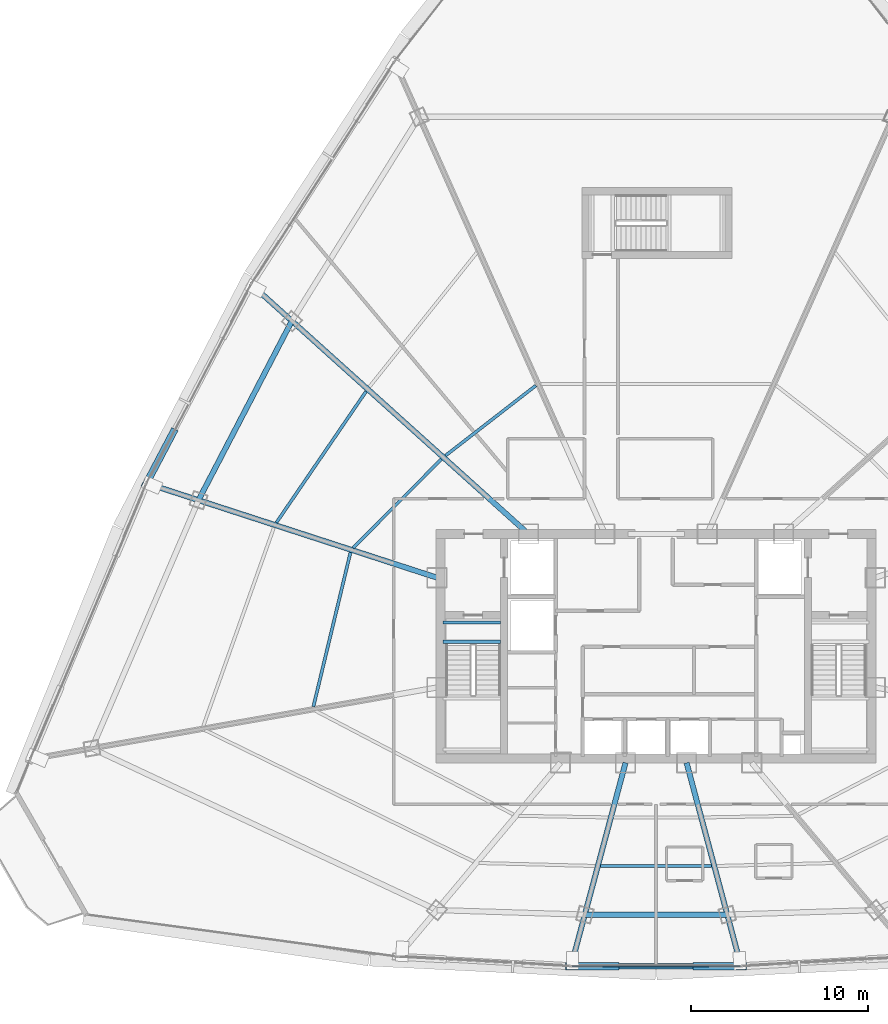
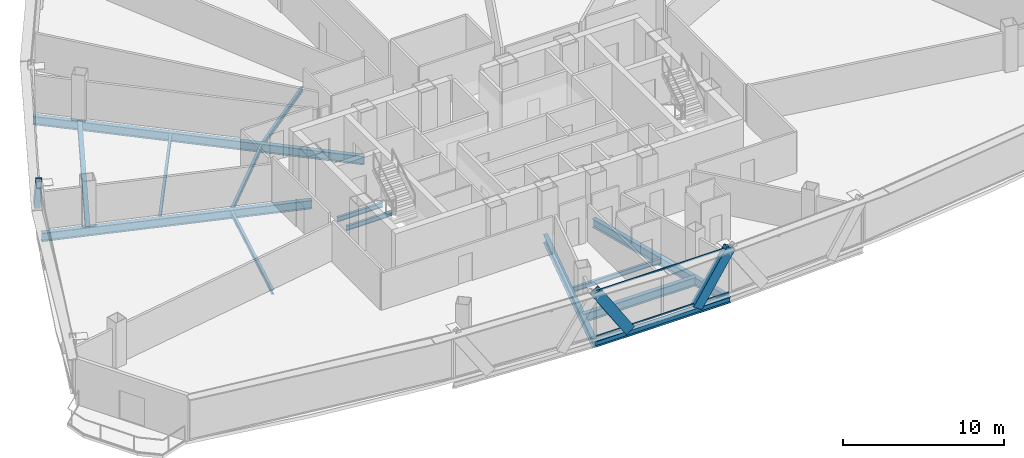
# One storey, part 9 of 35: 14 beams, 5 members, 1 element without a shape of its own.
"""IFC4 building model written with IfcOpenShell, lengths in metres."""

from ifc_helpers import new_model, si_unit, direction, frame, origin, origin_2d, place, context, subcontext, project, spatial, hollow_rectangle, i_section, extrude, source, transform, mapped, material, layer, layer_set, material_profile, profile_set, type_object, element, aggregate, save


model = new_model("IFC4")

# Units and contexts
model_context = context("Model", 3, precision=1e-05, world=origin(), true_north=direction((0.0, 1.0)))
body_context = subcontext(model_context, "Body", "Model", "MODEL_VIEW")
ifc_project = project(units=[si_unit("LENGTHUNIT", "METRE"), si_unit("AREAUNIT", "SQUARE_METRE"), si_unit("VOLUMEUNIT", "CUBIC_METRE"), si_unit("PLANEANGLEUNIT", "RADIAN"), si_unit("MASSUNIT", "GRAM", prefix="KILO"), si_unit("THERMODYNAMICTEMPERATUREUNIT", "KELVIN"), si_unit("POWERUNIT", "WATT")], contexts=[model_context])

# Site, building, storey
site_placement = place(None, origin())
site = spatial("IfcSite", under=ifc_project, at=site_placement, CompositionType="ELEMENT")
building_placement = place(site_placement, origin())
building = spatial("IfcBuilding", under=site, at=building_placement, Name="Yunzhuo Pagoda Commons", CompositionType="ELEMENT")
storey_placement = place(building_placement, frame((0.0, 0.0, 237.070068359375)))
storey = spatial("IfcBuildingStorey", under=building, at=storey_placement, Name="L59", CompositionType="ELEMENT", Elevation=237.070068359375)

# Beams
ifc_material_1 = material(Name="Structural steel Q355B", Category="steel")
ifc_material_profile_1 = material_profile(ifc_material_1, i_section(OverallWidth=0.175048828125, OverallDepth=0.35009765625, WebThickness=0.007080078125, FlangeThickness=0.010986328125, at=origin_2d()), Name="Structural steel Q355B")
ifc_profile_set_1 = profile_set([ifc_material_profile_1], Name="Structural steel Q355B")
beam_type_1 = type_object("IfcBeamType", Name="B-JS2 Joist HN 350x175x7x11", PredefinedType="JOIST", material=ifc_profile_set_1)
shared_shape_1 = source(origin(), body_context, "Body", "SweptSolid", [
    extrude(i_section(OverallWidth=0.175048828125, OverallDepth=0.35009765625, WebThickness=0.007080078125, FlangeThickness=0.010986328125, at=origin_2d()), origin(), (0.0, 0.0, 1.0), 3.25),
])
for number, where, z_axis, x_axis, name in (
    (1, (35.949951171875, 34.10009765625, -0.375), (1.0, 0.0, 0.0), (0.0, 1.0, 0.0), "L59 ST1 landing support beam 163A"),
    (2, (35.949951171875, 35.199951171875, -0.375), (1.0, 0.0, 0.0), (0.0, 1.0, 0.0), "L59 ST1 landing support beam 163B"),
):
    element("IfcBeam", number, at=place(storey_placement, frame(where, z_axis=z_axis, x_axis=x_axis)), inside=storey, type_object=beam_type_1, Name=name, PredefinedType="JOIST", context=body_context, shape_type="MappedRepresentation", body=[
        mapped(shared_shape_1, transform((0.0, 0.0, 0.0), scale=1.0)),
    ])
ifc_material_profile_2 = material_profile(ifc_material_1, i_section(OverallWidth=0.300048828125, OverallDepth=0.43994140625, WebThickness=0.010986328125, FlangeThickness=0.01806640625, at=origin_2d()), Name="Structural steel Q355B")
ifc_profile_set_2 = profile_set([ifc_material_profile_2], Name="Structural steel Q355B")
beam_type_2 = type_object("IfcBeamType", Name="B-SP2 Beam HM 440x300x11x18", PredefinedType="BEAM", material=ifc_profile_set_2)
shared_shape_2 = source(origin(), body_context, "Body", "SweptSolid", [
    extrude(i_section(OverallWidth=0.300048828125, OverallDepth=0.43994140625, WebThickness=0.010986328125, FlangeThickness=0.01806640625, at=origin_2d()), origin(), (0.0, 0.0, 1.0), 9.62841796875),
])
beam_1_placement = place(storey_placement, frame((43.185791015625, 15.7333984375, -0.47998046875), z_axis=(1.0, 0.0, 0.0), x_axis=(0.0, 1.0, 0.0)))
element("IfcBeam", 3, at=beam_1_placement, inside=storey, type_object=beam_type_2, Name="L59 facade edge spandrel beam F1.2", PredefinedType="BEAM", context=body_context, shape_type="MappedRepresentation", body=[
    mapped(shared_shape_2, transform((0.0, 0.0, 0.0), scale=1.0)),
])
ifc_material_profile_3 = material_profile(ifc_material_1, i_section(OverallWidth=0.300048828125, OverallDepth=0.64990234375, WebThickness=0.012939453125, FlangeThickness=0.02197265625, at=origin_2d()), Name="Structural steel Q355B")
ifc_profile_set_3 = profile_set([ifc_material_profile_3], Name="Structural steel Q355B")
beam_type_3 = type_object("IfcBeamType", Name="B-RG2 Beam HN 650x300x13x22", PredefinedType="BEAM", material=ifc_profile_set_3)
shared_shape_3 = source(origin(), body_context, "Body", "SweptSolid", [
    extrude(i_section(OverallWidth=0.300048828125, OverallDepth=0.64990234375, WebThickness=0.012939453125, FlangeThickness=0.02197265625, at=origin_2d()), origin(), (0.0, 0.0, 1.0), 8.06298828125),
])
beam_2_placement = place(storey_placement, frame((43.968505859375, 18.654052734375, -0.5849609375), z_axis=(1.0, 0.0, 0.0), x_axis=(0.0, 1.0, 0.0)))
element("IfcBeam", 4, at=beam_2_placement, inside=storey, type_object=beam_type_3, Name="L59 column-ring beam 2", PredefinedType="BEAM", context=body_context, shape_type="MappedRepresentation", body=[
    mapped(shared_shape_3, transform((0.0, 0.0, 0.0), scale=1.0)),
])
shared_shape_4 = source(origin(), body_context, "Body", "SweptSolid", [
    extrude(i_section(OverallWidth=0.300048828125, OverallDepth=0.64990234375, WebThickness=0.012939453125, FlangeThickness=0.02197265625, at=origin_2d()), origin(), (0.0, 0.0, 1.0), 11.43896484375),
])
beam_3_placement = place(storey_placement, frame((27.38818359375, 52.259033203125, -0.5849609375), z_axis=(-0.462142168026, -0.886805850529, 0.0), x_axis=(0.886805850529, -0.462142168026, 0.0)))
element("IfcBeam", 5, at=beam_3_placement, inside=storey, type_object=beam_type_3, Name="L59 column-ring beam 10", PredefinedType="BEAM", context=body_context, shape_type="MappedRepresentation", body=[
    mapped(shared_shape_4, transform((0.0, 0.0, 0.0), scale=1.0)),
])
shared_shape_5 = source(origin(), body_context, "Body", "SweptSolid", [
    extrude(i_section(OverallWidth=0.300048828125, OverallDepth=0.64990234375, WebThickness=0.012939453125, FlangeThickness=0.02197265625, at=origin_2d()), origin(), (0.0, 0.0, 1.0), 11.76806640625),
])
beam_4_placement = place(storey_placement, frame((43.22607421875, 15.883056640625, -0.5849609375), z_axis=(0.258829759859, 0.965922955215, 0.0), x_axis=(-0.965922955215, 0.258829759859, 0.0)))
element("IfcBeam", 6, at=beam_4_placement, inside=storey, type_object=beam_type_3, Name="L59 radial floor girder F1C2", PredefinedType="BEAM", context=body_context, shape_type="MappedRepresentation", body=[
    mapped(shared_shape_5, transform((0.0, 0.0, 0.0), scale=1.0)),
])
shared_shape_6 = source(origin(), body_context, "Body", "SweptSolid", [
    extrude(i_section(OverallWidth=0.300048828125, OverallDepth=0.64990234375, WebThickness=0.012939453125, FlangeThickness=0.02197265625, at=origin_2d()), origin(), (0.0, 0.0, 1.0), 11.767822265625),
])
beam_5_placement = place(storey_placement, frame((52.77392578125, 15.883056640625, -0.5849609375), z_axis=(-0.258791046504, 0.965933328056, 0.0), x_axis=(-0.965933328056, -0.258791046504, 0.0)))
element("IfcBeam", 7, at=beam_5_placement, inside=storey, type_object=beam_type_3, Name="L59 radial floor girder F1C3", PredefinedType="BEAM", context=body_context, shape_type="MappedRepresentation", body=[
    mapped(shared_shape_6, transform((0.0, 0.0, 0.0), scale=1.0)),
])
shared_shape_7 = source(origin(), body_context, "Body", "SweptSolid", [
    extrude(i_section(OverallWidth=0.300048828125, OverallDepth=0.64990234375, WebThickness=0.012939453125, FlangeThickness=0.02197265625, at=origin_2d()), origin(), (0.0, 0.0, 1.0), 20.974609375),
])
beam_6_placement = place(storey_placement, frame((25.19384765625, 54.23486328125, -0.5849609375), z_axis=(0.743140751916, -0.669135130479, 0.0), x_axis=(0.669135130479, 0.743140751916, 0.0)))
element("IfcBeam", 8, at=beam_6_placement, inside=storey, type_object=beam_type_3, Name="L59 radial floor girder F3C2", PredefinedType="BEAM", context=body_context, shape_type="MappedRepresentation", body=[
    mapped(shared_shape_7, transform((0.0, 0.0, 0.0), scale=1.0)),
])
shared_shape_8 = source(origin(), body_context, "Body", "SweptSolid", [
    extrude(i_section(OverallWidth=0.300048828125, OverallDepth=0.64990234375, WebThickness=0.012939453125, FlangeThickness=0.02197265625, at=origin_2d()), origin(), (0.0, 0.0, 1.0), 17.135498046875),
])
beam_7_placement = place(storey_placement, frame((19.30322265625, 43.024169921875, -0.5849609375), z_axis=(0.951056681956, -0.309016484524, 0.0), x_axis=(0.309016484524, 0.951056681956, 0.0)))
element("IfcBeam", 9, at=beam_7_placement, inside=storey, type_object=beam_type_3, Name="L59 radial floor girder F3C3", PredefinedType="BEAM", context=body_context, shape_type="MappedRepresentation", body=[
    mapped(shared_shape_8, transform((0.0, 0.0, 0.0), scale=1.0)),
])
shared_shape_9 = source(origin(), body_context, "Body", "SweptSolid", [
    extrude(i_section(OverallWidth=0.175048828125, OverallDepth=0.35009765625, WebThickness=0.007080078125, FlangeThickness=0.010986328125, at=origin_2d()), origin(), (0.0, 0.0, 1.0), 6.27099609375),
])
beam_8_placement = place(storey_placement, frame((44.864501953125, 21.40478515625, -0.43505859375), z_axis=(1.0, 0.0, 0.0), x_axis=(0.0, 1.0, 0.0)))
element("IfcBeam", 10, at=beam_8_placement, inside=storey, type_object=beam_type_1, Name="L59 composite ring joist 2.2", PredefinedType="JOIST", context=body_context, shape_type="MappedRepresentation", body=[
    mapped(shared_shape_9, transform((0.0, 0.0, 0.0), scale=1.0)),
])
shared_shape_10 = source(origin(), body_context, "Body", "SweptSolid", [
    extrude(i_section(OverallWidth=0.175048828125, OverallDepth=0.35009765625, WebThickness=0.007080078125, FlangeThickness=0.010986328125, at=origin_2d()), origin(), (0.0, 0.0, 1.0), 8.973876953125),
])
beam_9_placement = place(storey_placement, frame((30.703369140625, 39.1533203125, -0.43505859375), z_axis=(-0.233807152827, -0.972282991359, 0.0), x_axis=(0.972282991359, -0.233807152827, 0.0)))
element("IfcBeam", 11, at=beam_9_placement, inside=storey, type_object=beam_type_1, Name="L59 composite ring joist 1.11", PredefinedType="JOIST", context=body_context, shape_type="MappedRepresentation", body=[
    mapped(shared_shape_10, transform((0.0, 0.0, 0.0), scale=1.0)),
])
shared_shape_11 = source(origin(), body_context, "Body", "SweptSolid", [
    extrude(i_section(OverallWidth=0.175048828125, OverallDepth=0.35009765625, WebThickness=0.007080078125, FlangeThickness=0.010986328125, at=origin_2d()), origin(), (0.0, 0.0, 1.0), 7.0732421875),
])
beam_10_placement = place(storey_placement, frame((35.847412109375, 44.4287109375, -0.43505859375), z_axis=(-0.706139657206, -0.708072584218, 0.0), x_axis=(0.708072584218, -0.706139657206, 0.0)))
element("IfcBeam", 12, at=beam_10_placement, inside=storey, type_object=beam_type_1, Name="L59 composite ring joist 1.10", PredefinedType="JOIST", context=body_context, shape_type="MappedRepresentation", body=[
    mapped(shared_shape_11, transform((0.0, 0.0, 0.0), scale=1.0)),
])
shared_shape_12 = source(origin(), body_context, "Body", "SweptSolid", [
    extrude(i_section(OverallWidth=0.175048828125, OverallDepth=0.35009765625, WebThickness=0.007080078125, FlangeThickness=0.010986328125, at=origin_2d()), origin(), (0.0, 0.0, 1.0), 8.99365234375),
])
beam_11_placement = place(storey_placement, frame((31.583984375, 48.268798828125, -0.43505859375), z_axis=(-0.564098900337, -0.825707230584, 0.0), x_axis=(0.825707230584, -0.564098900337, 0.0)))
element("IfcBeam", 13, at=beam_11_placement, inside=storey, type_object=beam_type_1, Name="L59 composite ring joist 2.10", PredefinedType="JOIST", context=body_context, shape_type="MappedRepresentation", body=[
    mapped(shared_shape_12, transform((0.0, 0.0, 0.0), scale=1.0)),
])
shared_shape_13 = source(origin(), body_context, "Body", "SweptSolid", [
    extrude(i_section(OverallWidth=0.175048828125, OverallDepth=0.35009765625, WebThickness=0.007080078125, FlangeThickness=0.010986328125, at=origin_2d()), origin(), (0.0, 0.0, 1.0), 6.4677734375),
])
beam_12_placement = place(storey_placement, frame((41.19580078125, 48.602783203125, -0.43505859375), z_axis=(-0.790160481991, -0.612900002202, 0.0), x_axis=(0.612900002202, -0.790160481991, 0.0)))
element("IfcBeam", 14, at=beam_12_placement, inside=storey, type_object=beam_type_1, Name="L59 composite ring joist 1.9", PredefinedType="JOIST", context=body_context, shape_type="MappedRepresentation", body=[
    mapped(shared_shape_13, transform((0.0, 0.0, 0.0), scale=1.0)),
])

# Members
ifc_material_profile_4 = material_profile(ifc_material_1, hollow_rectangle(XDim=0.39990234375, YDim=0.719970703125, WallThickness=0.02392578125, at=origin_2d()), Name="Structural steel Q355B")
ifc_profile_set_4 = profile_set([ifc_material_profile_4], Name="Structural steel Q355B")
member_type_1 = type_object("IfcMemberType", Name="M-DL2 Brace BOX 720x400x24", PredefinedType="BRACE", material=ifc_profile_set_4)
shared_shape_14 = source(origin(), body_context, "Body", "SweptSolid", [
    extrude(hollow_rectangle(XDim=0.39990234375, YDim=0.719970703125, WallThickness=0.02392578125, at=origin_2d()), origin(), (0.0, 0.0, 1.0), 4.439208984375),
])
for number, where, z_axis, x_axis, name in (
    (15, (45.593017578125, 15.7333984375, -0.260009765625), (-0.542252128272, 0.0, 0.840215823098), (0.0, -1.0, 0.0), "L59 facade diamond brace F1.2L"),
    (16, (50.406982421875, 15.7333984375, -0.260009765625), (0.542252128272, 0.0, 0.840215823098), (0.0, 1.0, 0.0), "L59 facade diamond brace F1.2R"),
):
    element("IfcMember", number, at=place(storey_placement, frame(where, z_axis=z_axis, x_axis=x_axis)), inside=storey, type_object=member_type_1, Name=name, PredefinedType="BRACE", context=body_context, shape_type="MappedRepresentation", body=[
        mapped(shared_shape_14, transform((0.0, 0.0, 0.0), scale=1.0)),
    ])
shared_shape_15 = source(origin(), body_context, "Body", "SweptSolid", [
    extrude(hollow_rectangle(XDim=0.39990234375, YDim=0.719970703125, WallThickness=0.02392578125, at=origin_2d()), origin(), (0.0, 0.0, 1.0), 4.90283203125),
])
member_1_placement = place(storey_placement, frame((20.636474609375, 45.888671875, -0.260009765625), z_axis=(-0.30201396814, -0.574448991998, 0.76078638174), x_axis=(0.885126179931, -0.465351099279, 0.0)))
element("IfcMember", 17, at=member_1_placement, inside=storey, type_object=member_type_1, Name="L59 facade diamond brace F3.2R", PredefinedType="BRACE", context=body_context, shape_type="MappedRepresentation", body=[
    mapped(shared_shape_15, transform((0.0, 0.0, 0.0), scale=1.0)),
])

# Curtain wall, members
ifc_material_2 = material(Name="Anodized aluminium 6063-T6", Category="aluminium")
ifc_layer = layer(ifc_material_2, 0.139892578125)
ifc_layer_set = layer_set([ifc_layer], Name="Anodized aluminium 6063-T6")
curtain_wall_type = type_object("IfcCurtainWallType", Name="CW-HI High-Zone Ribbon Curtain Wall", PredefinedType="NOTDEFINED", material=ifc_layer_set)
curtain_wall_placement = place(storey_placement, origin())
curtain_wall = element("IfcCurtainWall", 18, at=curtain_wall_placement, inside=storey, type_object=curtain_wall_type, Name="L59 curtain wall CW-L59-F1B3", PredefinedType="NOTDEFINED")
ifc_material_profile_5 = material_profile(ifc_material_2, hollow_rectangle(XDim=0.054931640625, YDim=0.1201171875, WallThickness=0.00341796875, at=origin_2d()), Name="Anodized aluminium 6063-T6")
ifc_profile_set_5 = profile_set([ifc_material_profile_5], Name="Anodized aluminium 6063-T6")
member_type_2 = type_object("IfcMemberType", Name="CW-HI-T Transom RHS 120x55x3.5", PredefinedType="USERDEFINED", material=ifc_profile_set_5)
shared_shape_16 = source(origin(), body_context, "Body", "SweptSolid", [
    extrude(hollow_rectangle(XDim=0.054931640625, YDim=0.1201171875, WallThickness=0.00341796875, at=origin_2d()), origin(), (0.0, 0.0, 1.0), 9.50830078125),
])
member_2_placement = place(storey_placement, frame((43.245849609375, 15.7333984375, 0.02734375), z_axis=(1.0, 0.0, 0.0), x_axis=(0.0, 1.0, 0.0)))
member_2 = element("IfcMember", 19, at=member_2_placement, type_object=member_type_2, Name="CW transom 1.1", ObjectType="TRANSOM", PredefinedType="USERDEFINED", context=body_context, shape_type="MappedRepresentation", body=[
    mapped(shared_shape_16, transform((0.0, 0.0, 0.0), scale=1.0)),
])
member_3_placement = place(storey_placement, frame((43.245849609375, 15.7333984375, 3.4423828125), z_axis=(1.0, 0.0, 0.0), x_axis=(0.0, 1.0, 0.0)))
member_3 = element("IfcMember", 20, at=member_3_placement, type_object=member_type_2, Name="CW transom 1.2", ObjectType="TRANSOM", PredefinedType="USERDEFINED", context=body_context, shape_type="MappedRepresentation", body=[
    mapped(shared_shape_16, transform((0.0, 0.0, 0.0), scale=1.0)),
])
aggregate(curtain_wall, [member_2, member_3])

save(model, "model.ifc")
